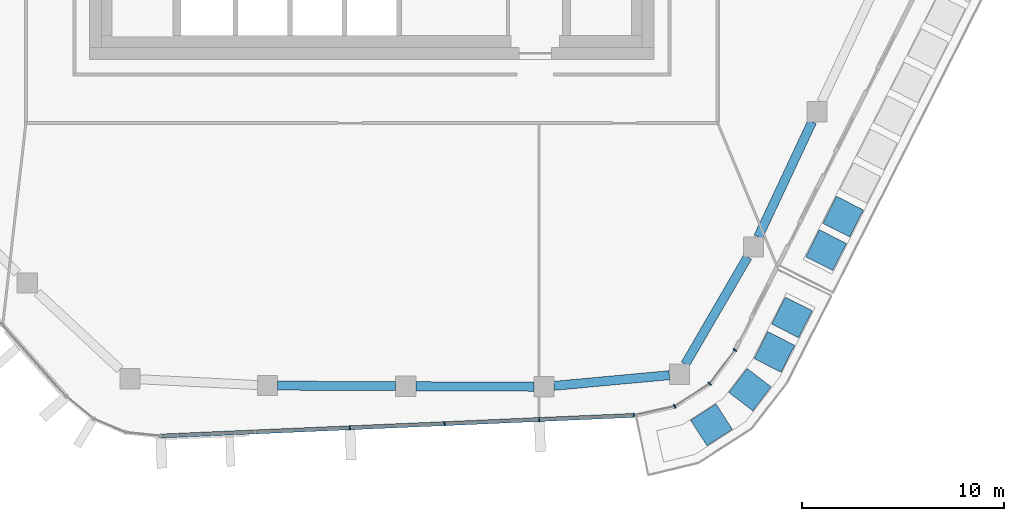
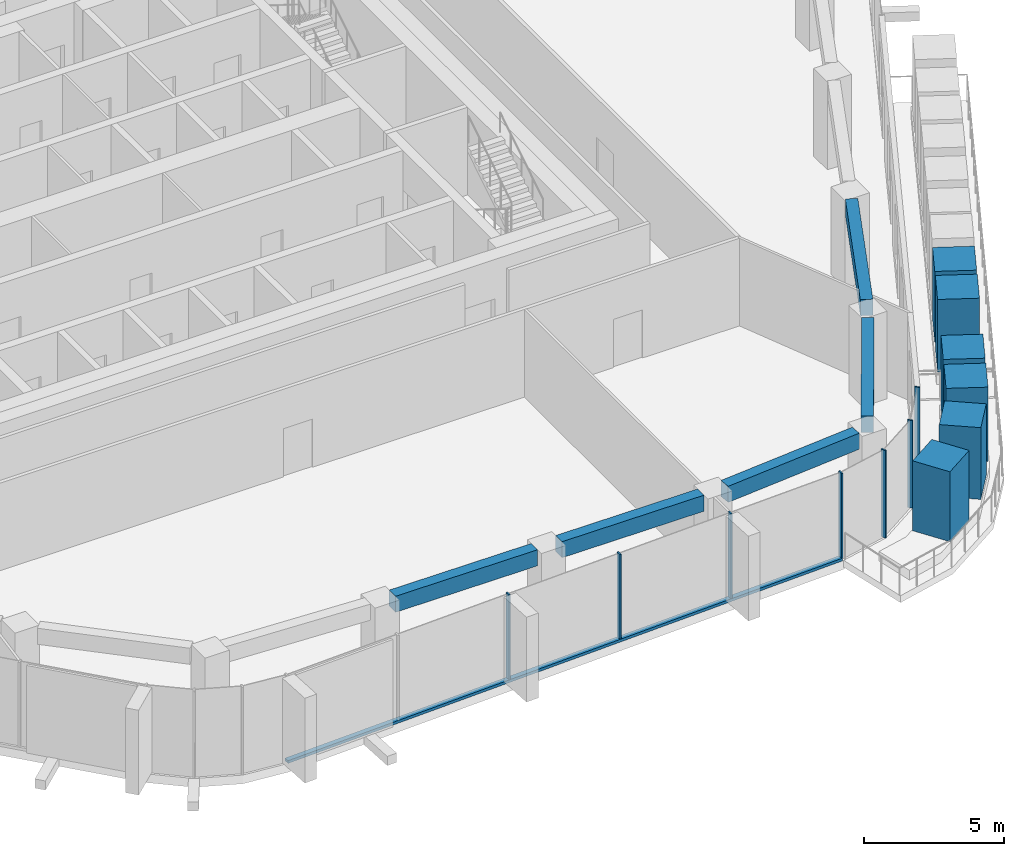
# One storey, part 4 of 23: 14 members, 5 beams, 2 elements without a shape of their own.
"""IFC4 building model written with IfcOpenShell, lengths in metres."""

import ifcopenshell
import ifcopenshell.guid

model = None  # the IFC model being written
_history = None  # IfcOwnerHistory: only IFC2X3 demands one
_inside = {}  # id of a spatial element -> (the spatial element, [elements in it])
_under = {}  # id of a project, library or spatial element -> (it, [spatial elements below it])
_declared = {}  # id of a project -> (the project, [libraries it declares])
_typed = {}  # id of a type object -> (the type object, [elements of that type])
_made_of = {}  # id of a material, layer set ... -> (it, [elements and type objects made of it])


def new_model(schema):
    """Start an empty IFC model of exactly this schema.

    Asked for "IFC4X3", IfcOpenShell would pick the latest addendum, in which some entities
    have other attributes; the version numbers below select the first issue.
    IFC2X3 requires an IfcOwnerHistory on every rooted entity: one is made here for all.
    """
    global model, _history
    if schema == "IFC4X3":
        model = ifcopenshell.file(schema_version=(4, 3, 0, 0))
    else:
        model = ifcopenshell.file(schema=schema)
    _inside.clear()
    _under.clear()
    _declared.clear()
    _typed.clear()
    _made_of.clear()
    _history = None
    if model.schema == "IFC2X3":
        org = make("IfcOrganization", Name="unknown")
        user = make(
            "IfcPersonAndOrganization",
            ThePerson=make("IfcPerson", FamilyName="unknown"),
            TheOrganization=org,
        )
        app = make(
            "IfcApplication",
            ApplicationDeveloper=org,
            Version="unknown",
            ApplicationFullName="unknown",
            ApplicationIdentifier="unknown",
        )
        _history = make(
            "IfcOwnerHistory",
            OwningUser=user,
            OwningApplication=app,
            ChangeAction="ADDED",
            CreationDate=0,
        )
    return model


def make(cls, **values):
    """One entity of the class cls with the attributes given. An attribute that is None is left unset."""
    return model.create_entity(
        cls, **{name: value for name, value in values.items() if value is not None}
    )


def rooted(cls, **values):
    """An entity with a GlobalId (a new one), such as an element, a storey or a relation."""
    return make(cls, GlobalId=ifcopenshell.guid.new(), OwnerHistory=_history, **values)


def si_unit(unit_type, name, prefix=None):
    """IfcSIUnit, for example si_unit("LENGTHUNIT", "METRE", prefix="MILLI")."""
    return make("IfcSIUnit", UnitType=unit_type, Prefix=prefix, Name=name)


def assignment(units):
    """IfcUnitAssignment: the units of a project."""
    return None if units is None else make("IfcUnitAssignment", Units=units)


def point(xyz):
    """IfcCartesianPoint."""
    return None if xyz is None else make("IfcCartesianPoint", Coordinates=xyz)


def direction(xyz):
    """IfcDirection."""
    return None if xyz is None else make("IfcDirection", DirectionRatios=xyz)


def frame(location, z_axis=None, x_axis=None):
    """IfcAxis2Placement3D, a coordinate frame: its origin and axes. An axis left out is left unset."""
    return make(
        "IfcAxis2Placement3D",
        Location=point(location),
        Axis=direction(z_axis),
        RefDirection=direction(x_axis),
    )


def frame_2d(location, x_axis=None):
    """IfcAxis2Placement2D, a coordinate frame in the plane: its origin and x axis."""
    return make(
        "IfcAxis2Placement2D", Location=point(location), RefDirection=direction(x_axis)
    )


def origin():
    """The frame at (0, 0, 0) with its axes left unset."""
    return frame((0.0, 0.0, 0.0))


def origin_2d():
    """The frame at (0, 0) in the plane with its x axis left unset."""
    return frame_2d((0.0, 0.0))


def place(relative_to, where):
    """IfcLocalPlacement: puts the frame where relative to a parent placement (None: the world)."""
    return make(
        "IfcLocalPlacement", PlacementRelTo=relative_to, RelativePlacement=where
    )


def context(
    kind, dimensions, precision=None, world=None, true_north=None, identifier=None
):
    """IfcGeometricRepresentationContext, for example the 3D "Model" context."""
    return make(
        "IfcGeometricRepresentationContext",
        ContextIdentifier=identifier,
        ContextType=kind,
        CoordinateSpaceDimension=dimensions,
        Precision=precision,
        WorldCoordinateSystem=world,
        TrueNorth=true_north,
    )


def subcontext(parent, identifier, kind, view, scale=None):
    """IfcGeometricRepresentationSubContext, for example "Body" below "Model"."""
    return make(
        "IfcGeometricRepresentationSubContext",
        ContextIdentifier=identifier,
        ContextType=kind,
        ParentContext=parent,
        TargetScale=scale,
        TargetView=view,
    )


def project(units=None, contexts=None):
    """IfcProject with its units and contexts."""
    return rooted(
        "IfcProject",
        Name="project",
        RepresentationContexts=contexts,
        UnitsInContext=assignment(units),
    )


def spatial(cls, under=None, at=None, **own):
    """A site, building, storey or space (cls), placed at a placement, below another one or the project."""
    s = rooted(cls, ObjectPlacement=at, **own)
    if under is not None:
        _under.setdefault(under.id(), (under, []))[1].append(s)
    return s


def profile(cls, at=None, kind="AREA", **sizes):
    """A parametric profile (cls). Its sizes go by their IFC names, for example OverallWidth=200.0."""
    return make(cls, ProfileType=kind, Position=at, **sizes)


def rectangle(**sizes):
    """IfcRectangleProfileDef."""
    return profile("IfcRectangleProfileDef", **sizes)


def extrude(swept, where, along, depth):
    """IfcExtrudedAreaSolid: the profile swept, set in the frame where, extruded along a direction by depth."""
    return make(
        "IfcExtrudedAreaSolid",
        SweptArea=swept,
        Position=where,
        ExtrudedDirection=direction(along),
        Depth=depth,
    )


def shape(context_of_items, identifier, shape_type, items):
    """IfcShapeRepresentation: the items that make up one representation, for example the "Body"."""
    return make(
        "IfcShapeRepresentation",
        ContextOfItems=context_of_items,
        RepresentationIdentifier=identifier,
        RepresentationType=shape_type,
        Items=items,
    )


def material(Name=None, Category=None):
    """IfcMaterial."""
    return make("IfcMaterial", Name=Name, Category=Category)


def layer(
    of_material, thickness, ventilated=None, Name=None, Category=None, Priority=None
):
    """IfcMaterialLayer: one layer of a wall or slab, of a material (None: an air gap)."""
    return make(
        "IfcMaterialLayer",
        Material=of_material,
        LayerThickness=thickness,
        IsVentilated=ventilated,
        Name=Name,
        Category=Category,
        Priority=Priority,
    )


def layer_set(layers, Name=None):
    """IfcMaterialLayerSet."""
    return make("IfcMaterialLayerSet", MaterialLayers=layers, LayerSetName=Name)


def material_profile(
    of_material, cross_section, Name=None, Category=None, Priority=None
):
    """IfcMaterialProfile: a cross section and its material."""
    return make(
        "IfcMaterialProfile",
        Name=Name,
        Material=of_material,
        Profile=cross_section,
        Priority=Priority,
        Category=Category,
    )


def profile_set(profiles, Name=None, composite=None):
    """IfcMaterialProfileSet."""
    return make(
        "IfcMaterialProfileSet",
        Name=Name,
        MaterialProfiles=profiles,
        CompositeProfile=composite,
    )


def made_of(thing, what):
    """Note that an element or type object is made of a material, layer set ...; save() writes the relation."""
    if what is not None:
        _made_of.setdefault(what.id(), (what, []))[1].append(thing)
    return thing


def type_object(cls, material=None, **own):
    """A type object (cls), such as IfcWallType, which elements share."""
    return made_of(rooted(cls, **own), material)


def element(
    cls,
    number,
    at=None,
    inside=None,
    cuts=None,
    type_object=None,
    material=None,
    context=None,
    identifier="Body",
    shape_type=None,
    held_by="IfcProductDefinitionShape",
    body=None,
    shapes=None,
    **own,
):
    """One element of the class cls, such as IfcWall. Its Tag is "e" and its number.

    at: its placement. inside: the storey or other place that contains it. cuts: it is an
    opening in that element (IfcRelVoidsElement). A single representation is given by context,
    identifier, shape_type and body (its items); several are given by shapes. held_by: the class
    of the entity that holds the representations. save() writes the other relations.
    """
    e = rooted(cls, Tag="e%d" % number, ObjectPlacement=at, **own)
    if body is not None:
        shapes = [shape(context, identifier, shape_type, body)]
    if shapes is not None:
        e.Representation = make(held_by, Representations=shapes)
    if inside is not None:
        _inside.setdefault(inside.id(), (inside, []))[1].append(e)
    if cuts is not None:
        rooted(
            "IfcRelVoidsElement", RelatingBuildingElement=cuts, RelatedOpeningElement=e
        )
    if type_object is not None:
        _typed.setdefault(type_object.id(), (type_object, []))[1].append(e)
    return made_of(e, material)


def aggregate(whole, parts):
    """IfcRelAggregates: a whole, such as a stair, and the parts it consists of."""
    return rooted("IfcRelAggregates", RelatingObject=whole, RelatedObjects=parts)


def save(model, path):
    """Write the relations noted so far, then the file.

    IfcRelAggregates (storeys below a building ...), IfcRelContainedInSpatialStructure (elements
    in a storey), IfcRelDefinesByType, IfcRelAssociatesMaterial and IfcRelDeclares: one each for
    every whole, place, type object, material and project.
    """
    for whole, parts in _under.values():
        aggregate(whole, parts)
    for where, things in _inside.values():
        rooted(
            "IfcRelContainedInSpatialStructure",
            RelatedElements=things,
            RelatingStructure=where,
        )
    for kind, things in _typed.values():
        rooted("IfcRelDefinesByType", RelatedObjects=things, RelatingType=kind)
    for what, things in _made_of.values():
        rooted("IfcRelAssociatesMaterial", RelatedObjects=things, RelatingMaterial=what)
    for by, libraries in _declared.values():
        rooted("IfcRelDeclares", RelatingContext=by, RelatedDefinitions=libraries)
    model.write(path)


model = new_model("IFC4")

# Units and contexts
model_context = context("Model", 3, precision=1e-05, world=origin(), true_north=direction((0.0, 1.0)))
body_context = subcontext(model_context, "Body", "Model", "MODEL_VIEW")
ifc_project = project(units=[si_unit("LENGTHUNIT", "METRE"), si_unit("AREAUNIT", "SQUARE_METRE"), si_unit("VOLUMEUNIT", "CUBIC_METRE"), si_unit("PLANEANGLEUNIT", "RADIAN"), si_unit("MASSUNIT", "GRAM", prefix="KILO")], contexts=[model_context])

# Site, building, storey
site_placement = place(None, origin())
site = spatial("IfcSite", under=ifc_project, at=site_placement, CompositionType="ELEMENT")
building_placement = place(site_placement, origin())
building = spatial("IfcBuilding", under=site, at=building_placement, Name="Dongbaek Canopy Tower", CompositionType="ELEMENT")
storey_placement = place(building_placement, frame((0.0, 0.0, 323.60009765625)))
storey = spatial("IfcBuildingStorey", under=building, at=storey_placement, Name="L69", CompositionType="ELEMENT", Elevation=323.60009765625)

# Curtain wall, members
ifc_material_1 = material(Name="Aluminium 6063-T6 pale anodised", Category="aluminium")
ifc_layer = layer(ifc_material_1, 0.199951171875)
ifc_layer_set = layer_set([ifc_layer], Name="CW-1 unitised tower curtain wall")
curtain_wall_type = type_object("IfcCurtainWallType", Name="CW-1 unitised tower curtain wall", PredefinedType="NOTDEFINED", material=ifc_layer_set)
curtain_wall_1_placement = place(storey_placement, origin())
curtain_wall_1 = element("IfcCurtainWall", 1, at=curtain_wall_1_placement, inside=storey, type_object=curtain_wall_type, Name="CW-1 curtain wall F4.1", PredefinedType="NOTDEFINED")
ifc_material_2 = material(Name="Aluminium 6063-T6 pale anodised", Category="aluminium")
ifc_material_profile_1 = material_profile(ifc_material_2, rectangle(XDim=0.199951171875, YDim=0.06005859375, at=origin_2d()), Name="CW-1 mullion 60 x 200")
ifc_profile_set_1 = profile_set([ifc_material_profile_1], Name="Aluminium 6063-T6 pale anodised")
member_type_1 = type_object("IfcMemberType", Name="CW-1 mullion 60 x 200", PredefinedType="MULLION", material=ifc_profile_set_1)
member_1_placement = place(storey_placement, frame((-1.0859375, -29.259033203125, 0.119873046875), z_axis=(0.0, 0.0, 1.0), x_axis=(0.04357165489, -0.999050304484, 0.0)))
member_1 = element("IfcMember", 2, at=member_1_placement, type_object=member_type_1, Name="CW-1 mullion F4.1.3", PredefinedType="MULLION", context=body_context, shape_type="SweptSolid", body=[
    extrude(rectangle(XDim=0.199951171875, YDim=0.06005859375, at=origin_2d()), origin(), (0.0, 0.0, 1.0), 3.699951171875),
])
member_2_placement = place(storey_placement, frame((3.608642578125, -29.05419921875, 0.119873046875), z_axis=(0.0, 0.0, 1.0), x_axis=(0.04357165489, -0.999050304484, 0.0)))
member_2 = element("IfcMember", 3, at=member_2_placement, type_object=member_type_1, Name="CW-1 mullion F4.1.4", PredefinedType="MULLION", context=body_context, shape_type="SweptSolid", body=[
    extrude(rectangle(XDim=0.199951171875, YDim=0.06005859375, at=origin_2d()), origin(), (0.0, 0.0, 1.0), 3.699951171875),
])
member_3_placement = place(storey_placement, frame((8.303466796875, -28.849609375, 0.119873046875), z_axis=(0.0, 0.0, 1.0), x_axis=(0.04357165489, -0.999050304484, 0.0)))
member_3 = element("IfcMember", 4, at=member_3_placement, type_object=member_type_1, Name="CW-1 mullion F4.1.5", PredefinedType="MULLION", context=body_context, shape_type="SweptSolid", body=[
    extrude(rectangle(XDim=0.199951171875, YDim=0.06005859375, at=origin_2d()), origin(), (0.0, 0.0, 1.0), 3.699951171875),
])
member_4_placement = place(storey_placement, frame((12.9892578125, -28.645263671875, 0.119873046875), z_axis=(0.0, 0.0, 1.0), x_axis=(0.04357165489, -0.999050304484, 0.0)))
member_4 = element("IfcMember", 5, at=member_4_placement, type_object=member_type_1, Name="CW-1 mullion F4.1.6", PredefinedType="MULLION", context=body_context, shape_type="SweptSolid", body=[
    extrude(rectangle(XDim=0.199951171875, YDim=0.06005859375, at=origin_2d()), origin(), (0.0, 0.0, 1.0), 3.699951171875),
])

curtain_wall_2_placement = place(storey_placement, origin())
curtain_wall_2 = element("IfcCurtainWall", 6, at=curtain_wall_2_placement, inside=storey, type_object=curtain_wall_type, Name="CW-1 curtain wall K5.1", PredefinedType="NOTDEFINED")
member_5_placement = place(storey_placement, frame((15.01806640625, -28.191650390625, 0.0), z_axis=(0.0, 0.0, 1.0), x_axis=(0.386036880403, -0.9224833478, 0.0)))
member_5 = element("IfcMember", 7, at=member_5_placement, type_object=member_type_1, Name="CW-1 mullion K5.1.2", PredefinedType="MULLION", context=body_context, shape_type="SweptSolid", body=[
    extrude(rectangle(XDim=0.199951171875, YDim=0.06005859375, at=origin_2d()), origin(), (0.0, 0.0, 1.0), 3.81982421875),
])
member_6_placement = place(storey_placement, frame((16.757568359375, -27.06982421875, 0.0), z_axis=(0.0, 0.0, 1.0), x_axis=(0.680963621466, -0.73231724426, 0.0)))
member_6 = element("IfcMember", 8, at=member_6_placement, type_object=member_type_1, Name="CW-1 mullion K5.1.3", PredefinedType="MULLION", context=body_context, shape_type="SweptSolid", body=[
    extrude(rectangle(XDim=0.199951171875, YDim=0.06005859375, at=origin_2d()), origin(), (0.0, 0.0, 1.0), 3.81982421875),
])
member_7_placement = place(storey_placement, frame((18.008056640625, -25.4091796875, 0.0), z_axis=(0.0, 0.0, 1.0), x_axis=(0.798891953593, -0.60147456013, 0.0)))
member_7 = element("IfcMember", 9, at=member_7_placement, type_object=member_type_1, Name="CW-1 mullion K5.1.4", PredefinedType="MULLION", context=body_context, shape_type="SweptSolid", body=[
    extrude(rectangle(XDim=0.199951171875, YDim=0.06005859375, at=origin_2d()), origin(), (0.0, 0.0, 1.0), 3.81982421875),
])
aggregate(curtain_wall_2, [member_5, member_6, member_7])

# Member
ifc_material_3 = material(Name="Aluminium 6063-T6 pale anodised", Category="aluminium")
ifc_material_profile_2 = material_profile(ifc_material_3, rectangle(XDim=0.199951171875, YDim=0.1201171875, at=origin_2d()), Name="CW-1 transom 120 x 200")
ifc_profile_set_2 = profile_set([ifc_material_profile_2], Name="Aluminium 6063-T6 pale anodised")
member_type_2 = type_object("IfcMemberType", Name="CW-1 transom 120 x 200", PredefinedType="USERDEFINED", material=ifc_profile_set_2)
member_8_placement = place(storey_placement, frame((-10.4677734375, -29.668212890625, 0.059814453125), z_axis=(0.999050460253, 0.043568083144, 0.0), x_axis=(-0.043568083144, 0.999050460253, 0.0)))
member_8 = element("IfcMember", 10, at=member_8_placement, type_object=member_type_2, Name="CW-1 transom F4.1.1", ObjectType="TRANSOM", PredefinedType="USERDEFINED", context=body_context, shape_type="SweptSolid", body=[
    extrude(rectangle(XDim=0.199951171875, YDim=0.1201171875, at=origin_2d()), origin(), (0.0, 0.0, 1.0), 23.479248046875),
])

aggregate(curtain_wall_1, [member_1, member_2, member_3, member_4, member_8])

# Beams
ifc_material_4 = material(Name="Concrete C60", Category="concrete")
ifc_material_profile_3 = material_profile(ifc_material_4, rectangle(XDim=0.449951171875, YDim=0.699951171875, at=origin_2d()), Name="RC EDGE BEAM 450x700 C60")
ifc_profile_set_3 = profile_set([ifc_material_profile_3], Name="Concrete C60")
beam_type = type_object("IfcBeamType", Name="RC EDGE BEAM 450x700 C60", PredefinedType="BEAM", material=ifc_profile_set_3)
beam_1_placement = place(storey_placement, frame((14.751953125, -26.653076171875, 3.469970703125), z_axis=(-0.995766439544, -0.091919518479, 0.0), x_axis=(0.091919518479, -0.995766439544, 0.0)))
element("IfcBeam", 11, at=beam_1_placement, inside=storey, type_object=beam_type, Name="EDGEBEAM:L69:00", PredefinedType="BEAM", context=body_context, shape_type="SweptSolid", body=[
    extrude(rectangle(XDim=0.449951171875, YDim=0.699951171875, at=origin_2d()), origin(), (0.0, 0.0, 1.0), 5.742431640625),
])
beam_2_placement = place(storey_placement, frame((8.033935546875, -27.224853515625, 3.469970703125), z_axis=(-0.999990401851, 0.004381347473, 0.0), x_axis=(-0.004381347473, -0.999990401851, 0.0)))
element("IfcBeam", 12, at=beam_2_placement, inside=storey, type_object=beam_type, Name="EDGEBEAM:L69:01", PredefinedType="BEAM", context=body_context, shape_type="SweptSolid", body=[
    extrude(rectangle(XDim=0.449951171875, YDim=0.699951171875, at=origin_2d()), origin(), (0.0, 0.0, 1.0), 5.850830078125),
])
beam_3_placement = place(storey_placement, frame((1.18310546875, -27.19482421875, 3.469970703125), z_axis=(-0.999990396242, 0.004382627582, 0.0), x_axis=(-0.004382627582, -0.999990396242, 0.0)))
element("IfcBeam", 13, at=beam_3_placement, inside=storey, type_object=beam_type, Name="EDGEBEAM:L69:02", PredefinedType="BEAM", context=body_context, shape_type="SweptSolid", body=[
    extrude(rectangle(XDim=0.449951171875, YDim=0.699951171875, at=origin_2d()), origin(), (0.0, 0.0, 1.0), 5.84912109375),
])
beam_4_placement = place(storey_placement, frame((21.833740234375, -14.087890625, 3.469970703125), z_axis=(-0.424294949226, -0.905524044993, 0.0), x_axis=(0.905524044993, -0.424294949226, 0.0)))
element("IfcBeam", 14, at=beam_4_placement, inside=storey, type_object=beam_type, Name="EDGEBEAM:L69:24", PredefinedType="BEAM", context=body_context, shape_type="SweptSolid", body=[
    extrude(rectangle(XDim=0.449951171875, YDim=0.699951171875, at=origin_2d()), origin(), (0.0, 0.0, 1.0), 6.303466796875),
])
beam_5_placement = place(storey_placement, frame((18.634033203125, -20.7958984375, 3.469970703125), z_axis=(-0.503016078482, -0.864277053258, 0.0), x_axis=(0.864277053258, -0.503016078482, 0.0)))
element("IfcBeam", 15, at=beam_5_placement, inside=storey, type_object=beam_type, Name="EDGEBEAM:L69:25", PredefinedType="BEAM", context=body_context, shape_type="SweptSolid", body=[
    extrude(rectangle(XDim=0.449951171875, YDim=0.699951171875, at=origin_2d()), origin(), (0.0, 0.0, 1.0), 6.14501953125),
])

# Members
ifc_material_5 = material(Name="Concrete C40/50 planter mass with planting", Category="concrete")
ifc_material_profile_4 = material_profile(ifc_material_5, rectangle(XDim=1.5, YDim=1.5, at=origin_2d()), Name="Terrace PLANTER shrub mass 1500 x 1500")
ifc_profile_set_4 = profile_set([ifc_material_profile_4], Name="Concrete C40/50 planter mass with planting")
member_type_3 = type_object("IfcMemberType", Name="Terrace PLANTER shrub mass 1500 x 1500", PredefinedType="USERDEFINED", material=ifc_profile_set_4)
member_9_placement = place(storey_placement, frame((22.52685546875, -20.450927734375, 0.419921875), z_axis=(0.0, 0.0, 1.0), x_axis=(0.892033145359, -0.451969985266, 0.0)))
element("IfcMember", 16, at=member_9_placement, inside=storey, type_object=member_type_3, Name="Planter shrubs L69 4.1", ObjectType="PLANTER", PredefinedType="USERDEFINED", context=body_context, shape_type="SweptSolid", body=[
    extrude(rectangle(XDim=1.5, YDim=1.5, at=origin_2d()), origin(), (0.0, 0.0, 1.0), 3.169921875),
])
member_10_placement = place(storey_placement, frame((23.368896484375, -18.788818359375, 0.419921875), z_axis=(0.0, 0.0, 1.0), x_axis=(0.892033145359, -0.451969985266, 0.0)))
element("IfcMember", 17, at=member_10_placement, inside=storey, type_object=member_type_3, Name="Planter shrubs L69 4.2", ObjectType="PLANTER", PredefinedType="USERDEFINED", context=body_context, shape_type="SweptSolid", body=[
    extrude(rectangle(XDim=1.5, YDim=1.5, at=origin_2d()), origin(), (0.0, 0.0, 1.0), 3.090087890625),
])
member_11_placement = place(storey_placement, frame((16.843505859375, -29.113037109375, 0.419921875), z_axis=(0.0, 0.0, 1.0), x_axis=(0.541907099486, -0.840438394843, 0.0)))
element("IfcMember", 18, at=member_11_placement, inside=storey, type_object=member_type_3, Name="Planter shrubs L69 7.1", ObjectType="PLANTER", PredefinedType="USERDEFINED", context=body_context, shape_type="SweptSolid", body=[
    extrude(rectangle(XDim=1.5, YDim=1.5, at=origin_2d()), origin(), (0.0, 0.0, 1.0), 3.050048828125),
])
member_12_placement = place(storey_placement, frame((18.752685546875, -27.368896484375, 0.419921875), z_axis=(0.0, 0.0, 1.0), x_axis=(0.794234986765, -0.607610718963, 0.0)))
element("IfcMember", 19, at=member_12_placement, inside=storey, type_object=member_type_3, Name="Planter shrubs L69 7.2", ObjectType="PLANTER", PredefinedType="USERDEFINED", context=body_context, shape_type="SweptSolid", body=[
    extrude(rectangle(XDim=1.5, YDim=1.5, at=origin_2d()), origin(), (0.0, 0.0, 1.0), 3.1298828125),
])
member_13_placement = place(storey_placement, frame((19.963134765625, -25.5, 0.419921875), z_axis=(0.0, 0.0, 1.0), x_axis=(0.891259147626, -0.453494356936, 0.0)))
element("IfcMember", 20, at=member_13_placement, inside=storey, type_object=member_type_3, Name="Planter shrubs L69 7.3", ObjectType="PLANTER", PredefinedType="USERDEFINED", context=body_context, shape_type="SweptSolid", body=[
    extrude(rectangle(XDim=1.5, YDim=1.5, at=origin_2d()), origin(), (0.0, 0.0, 1.0), 3.25),
])
member_14_placement = place(storey_placement, frame((20.834228515625, -23.7880859375, 0.419921875), z_axis=(0.0, 0.0, 1.0), x_axis=(0.891259147626, -0.453494356936, 0.0)))
element("IfcMember", 21, at=member_14_placement, inside=storey, type_object=member_type_3, Name="Planter shrubs L69 7.4", ObjectType="PLANTER", PredefinedType="USERDEFINED", context=body_context, shape_type="SweptSolid", body=[
    extrude(rectangle(XDim=1.5, YDim=1.5, at=origin_2d()), origin(), (0.0, 0.0, 1.0), 3.169921875),
])

save(model, "model.ifc")
